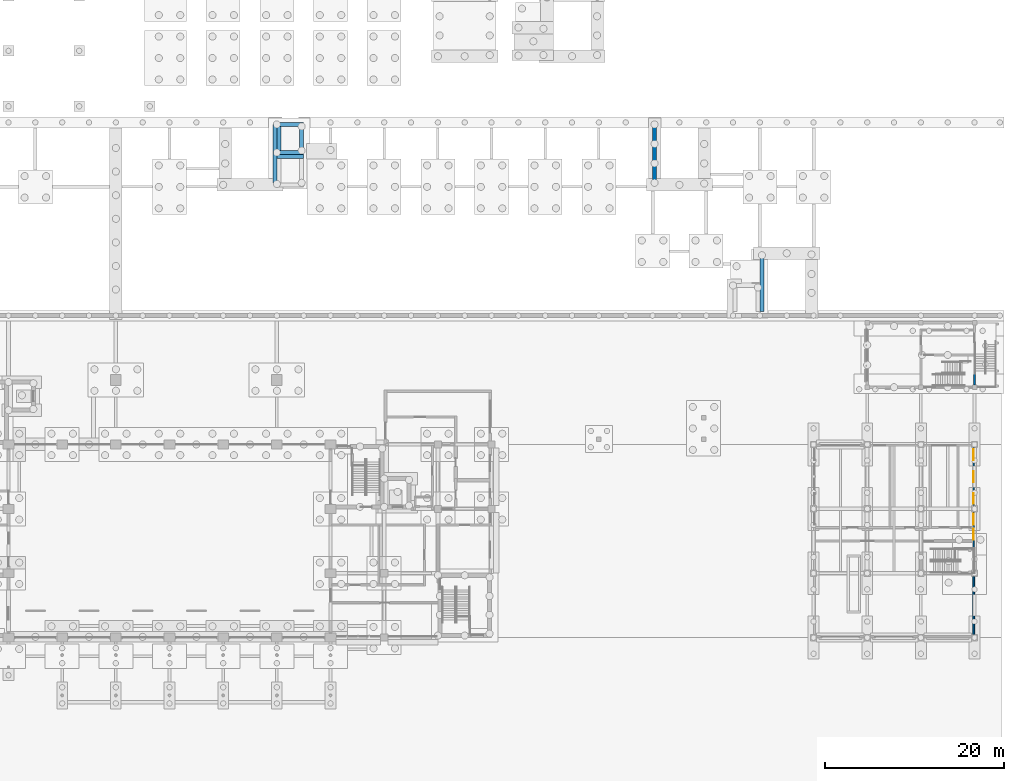
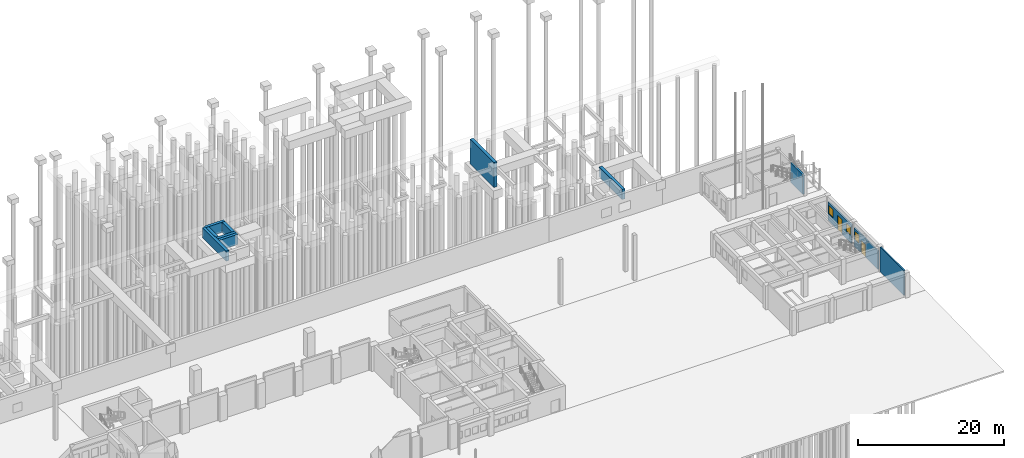
# One storey, part 27 of 37: 12 walls, 3 windows, 2 doors, 5 openings.
"""IFC4 building model written with IfcOpenShell, lengths in metres."""

from ifc_helpers import new_model, si_unit, direction, frame, frame_2d, origin, place, context, subcontext, project, spatial, rectangle, extrude, material, layer, layer_set, type_object, element, fill, save


model = new_model("IFC4")

# Units and contexts
model_context = context("Model", 3, precision=1e-05, world=origin(), true_north=direction((0.0, 1.0)))
body_context = subcontext(model_context, "Body", "Model", "MODEL_VIEW")
ifc_project = project(units=[si_unit("LENGTHUNIT", "METRE"), si_unit("AREAUNIT", "SQUARE_METRE"), si_unit("VOLUMEUNIT", "CUBIC_METRE"), si_unit("PLANEANGLEUNIT", "RADIAN"), si_unit("MASSUNIT", "GRAM", prefix="KILO")], contexts=[model_context])

# Site, building, storey
site_placement = place(None, origin())
site = spatial("IfcSite", under=ifc_project, at=site_placement, CompositionType="ELEMENT")
building_placement = place(site_placement, origin())
building = spatial("IfcBuilding", under=site, at=building_placement, Name="Laocheng Heights Fire and Rescue Headquarters", CompositionType="ELEMENT")
storey_placement = place(building_placement, origin())
storey = spatial("IfcBuildingStorey", under=building, at=storey_placement, Name="L00", CompositionType="ELEMENT", Elevation=0.0)

# Wall
ifc_material_1 = material(Name="Aluminium profiled sheet cladding on insulated steel liner", Category="steel")
ifc_layer_1 = layer(ifc_material_1, 0.199951171875)
ifc_layer_set_1 = layer_set([ifc_layer_1], Name="Aluminium profiled sheet cladding on insulated steel liner")
wall_type_1 = type_object("IfcWallType", Name="PROFILED METAL CLAD WALL 200 WORKSHOP", PredefinedType="SOLIDWALL", material=ifc_layer_set_1)
wall_1_placement = place(storey_placement, frame((125.89990234375, 0.35009765625, 0.0), z_axis=(0.0, 0.0, 1.0), x_axis=(0.0, 1.0, 0.0)))
element("IfcWall", 1, at=wall_1_placement, inside=storey, type_object=wall_type_1, Name="Workshop wall L00", PredefinedType="SOLIDWALL", context=body_context, shape_type="SweptSolid", body=[
    extrude(rectangle(XDim=6.5, YDim=0.199951171875, at=frame_2d((3.25, 0.0))), origin(), (0.0, 0.0, 1.0), 4.199951171875),
])

# Wall, openings, window, door
wall_2_placement = place(storey_placement, frame((125.89990234375, 7.550048828125, 0.0), z_axis=(0.0, 0.0, 1.0), x_axis=(0.0, 1.0, 0.0)))
wall_2 = element("IfcWall", 2, at=wall_2_placement, inside=storey, type_object=wall_type_1, Name="Workshop wall L00", PredefinedType="SOLIDWALL", context=body_context, shape_type="SweptSolid", body=[
    extrude(rectangle(XDim=6.5, YDim=0.199951171875, at=frame_2d((3.25, 0.0))), origin(), (0.0, 0.0, 1.0), 3.10009765625),
])
opening_1_placement = place(wall_2_placement, frame((5.074951171875, 0.0, 1.199951171875)))
opening_1 = element("IfcOpeningElement", 3, at=opening_1_placement, cuts=wall_2, Name="Opening N4-E", PredefinedType="OPENING", context=body_context, shape_type="SweptSolid", body=[
    extrude(rectangle(XDim=1.199951171875, YDim=1.39990234375, at=frame_2d((0.60009765625, 0.699951171875))), frame((0.0, 0.10986328125, 0.0), z_axis=(0.0, -1.0, 0.0), x_axis=(1.0, 0.0, 0.0)), (0.0, 0.0, 1.0), 0.219970703125),
])
opening_2_placement = place(wall_2_placement, frame((3.39990234375, 0.0, 0.0)))
opening_2 = element("IfcOpeningElement", 4, at=opening_2_placement, cuts=wall_2, Name="Opening L00-N02", PredefinedType="OPENING", context=body_context, shape_type="SweptSolid", body=[
    extrude(rectangle(XDim=1.199951171875, YDim=2.10009765625, at=frame_2d((0.60009765625, 1.050048828125))), frame((0.0, 0.10986328125, 0.0), z_axis=(0.0, -1.0, 0.0), x_axis=(1.0, 0.0, 0.0)), (0.0, 0.0, 1.0), 0.219970703125),
])
ifc_material_2 = material(Name="Low-e double glazing in thermally broken aluminium frame", Category="aluminium")
window_type = type_object("IfcWindowType", Name="CLERESTORY WINDOW 1200 x 1400 SILL 1200", PartitioningType="SINGLE_PANEL", PredefinedType="WINDOW", material=ifc_material_2)
window_1_placement = place(opening_1_placement, origin())
window_1 = element("IfcWindow", 5, at=window_1_placement, inside=storey, type_object=window_type, Name="Workshop window L00", OverallHeight=1.39990234375, OverallWidth=1.199951171875, PartitioningType="SINGLE_PANEL", PredefinedType="WINDOW", context=body_context, shape_type="SweptSolid", body=[
    extrude(rectangle(XDim=1.199951171875, YDim=1.39990234375, at=frame_2d((0.60009765625, 0.699951171875))), frame((0.0, 0.030029296875, 0.0), z_axis=(0.0, -1.0, 0.0), x_axis=(1.0, 0.0, 0.0)), (0.0, 0.0, 1.0), 0.06005859375),
])
fill(opening_1, window_1)
ifc_material_3 = material(Name="Steel door leaf, painted", Category="steel")
door_type_1 = type_object("IfcDoorType", Name="STEEL FIRE DOOR 1200x2100 EXTERNAL WORK", OperationType="SINGLE_SWING_LEFT", PredefinedType="DOOR", material=ifc_material_3)
door_1_placement = place(opening_2_placement, frame((1.199951171875, 0.0, 0.0), z_axis=(0.0, 0.0, 1.0), x_axis=(-1.0, 0.0, 0.0)))
door_1 = element("IfcDoor", 6, at=door_1_placement, inside=storey, type_object=door_type_1, Name="Door L00-N02", OperationType="SINGLE_SWING_LEFT", OverallHeight=2.10009765625, OverallWidth=1.199951171875, PredefinedType="DOOR", context=body_context, shape_type="SweptSolid", body=[
    extrude(rectangle(XDim=1.199951171875, YDim=2.10009765625, at=frame_2d((0.60009765625, 1.050048828125))), frame((0.0, 0.02490234375, 0.0), z_axis=(0.0, -1.0, 0.0), x_axis=(1.0, 0.0, 0.0)), (0.0, 0.0, 1.0), 0.050048828125),
])
fill(opening_2, door_1)

# Wall, openings, windows, door
wall_3_placement = place(storey_placement, frame((125.89990234375, 14.75, 0.0), z_axis=(0.0, 0.0, 1.0), x_axis=(0.0, 1.0, 0.0)))
wall_3 = element("IfcWall", 7, at=wall_3_placement, inside=storey, type_object=wall_type_1, Name="Workshop wall L00", PredefinedType="SOLIDWALL", context=body_context, shape_type="SweptSolid", body=[
    extrude(rectangle(XDim=6.5, YDim=0.199951171875, at=frame_2d((3.25, 0.0))), origin(), (0.0, 0.0, 1.0), 3.10009765625),
])
opening_3_placement = place(wall_3_placement, frame((2.64990234375, 0.0, 0.0)))
opening_3 = element("IfcOpeningElement", 8, at=opening_3_placement, cuts=wall_3, Name="Opening L00-E11", PredefinedType="OPENING", context=body_context, shape_type="SweptSolid", body=[
    extrude(rectangle(XDim=1.199951171875, YDim=2.39990234375, at=frame_2d((0.60009765625, 1.199951171875))), frame((0.0, 0.10986328125, 0.0), z_axis=(0.0, -1.0, 0.0), x_axis=(1.0, 0.0, 0.0)), (0.0, 0.0, 1.0), 0.219970703125),
])
opening_4_placement = place(wall_3_placement, frame((0.21240234375, 0.0, 1.199951171875)))
opening_4 = element("IfcOpeningElement", 9, at=opening_4_placement, cuts=wall_3, Name="Opening N4-E", PredefinedType="OPENING", context=body_context, shape_type="SweptSolid", body=[
    extrude(rectangle(XDim=1.199951171875, YDim=1.39990234375, at=frame_2d((0.60009765625, 0.699951171875))), frame((0.0, 0.10986328125, 0.0), z_axis=(0.0, -1.0, 0.0), x_axis=(1.0, 0.0, 0.0)), (0.0, 0.0, 1.0), 0.219970703125),
])
opening_5_placement = place(wall_3_placement, frame((5.08740234375, 0.0, 1.199951171875)))
opening_5 = element("IfcOpeningElement", 10, at=opening_5_placement, cuts=wall_3, Name="Opening N4-E", PredefinedType="OPENING", context=body_context, shape_type="SweptSolid", body=[
    extrude(rectangle(XDim=1.199951171875, YDim=1.39990234375, at=frame_2d((0.60009765625, 0.699951171875))), frame((0.0, 0.10986328125, 0.0), z_axis=(0.0, -1.0, 0.0), x_axis=(1.0, 0.0, 0.0)), (0.0, 0.0, 1.0), 0.219970703125),
])
window_2_placement = place(opening_4_placement, origin())
window_2 = element("IfcWindow", 11, at=window_2_placement, inside=storey, type_object=window_type, Name="Workshop window L00", OverallHeight=1.39990234375, OverallWidth=1.199951171875, PartitioningType="SINGLE_PANEL", PredefinedType="WINDOW", context=body_context, shape_type="SweptSolid", body=[
    extrude(rectangle(XDim=1.199951171875, YDim=1.39990234375, at=frame_2d((0.60009765625, 0.699951171875))), frame((0.0, 0.030029296875, 0.0), z_axis=(0.0, -1.0, 0.0), x_axis=(1.0, 0.0, 0.0)), (0.0, 0.0, 1.0), 0.06005859375),
])
fill(opening_4, window_2)
window_3_placement = place(opening_5_placement, origin())
window_3 = element("IfcWindow", 12, at=window_3_placement, inside=storey, type_object=window_type, Name="Workshop window L00", OverallHeight=1.39990234375, OverallWidth=1.199951171875, PartitioningType="SINGLE_PANEL", PredefinedType="WINDOW", context=body_context, shape_type="SweptSolid", body=[
    extrude(rectangle(XDim=1.199951171875, YDim=1.39990234375, at=frame_2d((0.60009765625, 0.699951171875))), frame((0.0, 0.030029296875, 0.0), z_axis=(0.0, -1.0, 0.0), x_axis=(1.0, 0.0, 0.0)), (0.0, 0.0, 1.0), 0.06005859375),
])
fill(opening_5, window_3)
ifc_material_4 = material(Name="Powder-coated galvanised steel door leaf", Category="steel")
door_type_2 = type_object("IfcDoorType", Name="EXTERNAL STEEL DOOR 1200 x 2400 EI 60", OperationType="SINGLE_SWING_LEFT", PredefinedType="DOOR", material=ifc_material_4)
door_2_placement = place(opening_3_placement, frame((1.199951171875, 0.0, 0.0), z_axis=(0.0, 0.0, 1.0), x_axis=(-1.0, 0.0, 0.0)))
door_2 = element("IfcDoor", 13, at=door_2_placement, inside=storey, type_object=door_type_2, Name="Workshop side door L00-E11", OperationType="SINGLE_SWING_RIGHT", OverallHeight=2.39990234375, OverallWidth=1.199951171875, PredefinedType="DOOR", context=body_context, shape_type="SweptSolid", body=[
    extrude(rectangle(XDim=1.199951171875, YDim=2.39990234375, at=frame_2d((0.60009765625, 1.199951171875))), frame((0.0, 0.02490234375, 0.0), z_axis=(0.0, -1.0, 0.0), x_axis=(1.0, 0.0, 0.0)), (0.0, 0.0, 1.0), 0.050048828125),
])
fill(opening_3, door_2)

# Walls
ifc_material_5 = material(Name="Concrete C40", Category="concrete")
ifc_layer_2 = layer(ifc_material_5, 0.449951171875)
ifc_layer_set_2 = layer_set([ifc_layer_2], Name="Concrete C40")
wall_type_2 = type_object("IfcWallType", Name="RC LIFT PIT WALL 450", PredefinedType="SHEAR", material=ifc_layer_set_2)
for number, where, z_axis, x_axis, name in (
    (14, (48.0, 54.22509765625, 2.5), (0.0, 0.0, 1.0), (1.0, 0.0, 0.0), "Lift pit wall"),
    (15, (48.0, 57.375, 2.5), (0.0, 0.0, 1.0), (1.0, 0.0, 0.0), "Lift pit wall"),
):
    element("IfcWall", number, at=place(storey_placement, frame(where, z_axis=z_axis, x_axis=x_axis)), inside=storey, type_object=wall_type_2, Name=name, PredefinedType="SHEAR", context=body_context, shape_type="SweptSolid", body=[
        extrude(rectangle(XDim=3.0, YDim=0.449951171875, at=frame_2d((1.5, 0.0))), origin(), (0.0, 0.0, 1.0), 1.699951171875),
    ])
for number, where, z_axis, x_axis, name in (
    (16, (48.22509765625, 54.449951171875, 2.5), (0.0, 0.0, 1.0), (0.0, 1.0, 0.0), "Lift pit wall"),
    (17, (50.77490234375, 54.449951171875, 2.5), (0.0, 0.0, 1.0), (0.0, 1.0, 0.0), "Lift pit wall"),
):
    element("IfcWall", number, at=place(storey_placement, frame(where, z_axis=z_axis, x_axis=x_axis)), inside=storey, type_object=wall_type_2, Name=name, PredefinedType="SHEAR", context=body_context, shape_type="SweptSolid", body=[
        extrude(rectangle(XDim=2.699951171875, YDim=0.449951171875, at=frame_2d((1.35009765625, 0.0))), origin(), (0.0, 0.0, 1.0), 1.699951171875),
    ])
wall_4_placement = place(storey_placement, frame((48.0, 53.77490234375, 2.5), z_axis=(0.0, 0.0, 1.0), x_axis=(1.0, 0.0, 0.0)))
element("IfcWall", 18, at=wall_4_placement, inside=storey, type_object=wall_type_2, Name="Lift pit wall", PredefinedType="SHEAR", context=body_context, shape_type="SweptSolid", body=[
    extrude(rectangle(XDim=3.0, YDim=0.449951171875, at=frame_2d((1.5, 0.0))), origin(), (0.0, 0.0, 1.0), 1.699951171875),
])
ifc_material_6 = material(Name="Concrete C50", Category="concrete")
ifc_layer_3 = layer(ifc_material_6, 0.25)
ifc_layer_set_3 = layer_set([ifc_layer_3], Name="Concrete C50")
wall_type_3 = type_object("IfcWallType", Name="RC STAIR ENCLOSURE WALL 250", PredefinedType="SHEAR", material=ifc_layer_set_3)
wall_5_placement = place(storey_placement, frame((126.0, 28.25, 0.0), z_axis=(0.0, 0.0, 1.0), x_axis=(0.0, 1.0, 0.0)))
element("IfcWall", 19, at=wall_5_placement, inside=storey, type_object=wall_type_3, Name="Stair enclosure wall", PredefinedType="SHEAR", context=body_context, shape_type="SweptSolid", body=[
    extrude(rectangle(XDim=3.35009765625, YDim=0.25, at=frame_2d((1.675048828125, 0.0))), origin(), (0.0, 0.0, 1.0), 3.300048828125),
])
ifc_material_7 = material(Name="Concrete C40", Category="concrete")
ifc_layer_4 = layer(ifc_material_7, 0.449951171875)
ifc_layer_set_4 = layer_set([ifc_layer_4], Name="Concrete C40")
wall_type_4 = type_object("IfcWallType", Name="STAIR KERB WALL 450", PredefinedType="SOLIDWALL", material=ifc_layer_set_4)
wall_6_placement = place(storey_placement, frame((102.22509765625, 36.449951171875, 2.5), z_axis=(0.0, 0.0, 1.0), x_axis=(0.0, 1.0, 0.0)))
element("IfcWall", 20, at=wall_6_placement, inside=storey, type_object=wall_type_4, Name="Stair kerb wall", PredefinedType="SOLIDWALL", context=body_context, shape_type="SweptSolid", body=[
    extrude(rectangle(XDim=6.300048828125, YDim=0.449951171875, at=frame_2d((3.14990234375, 0.0))), origin(), (0.0, 0.0, 1.0), 1.699951171875),
])
wall_7_placement = place(storey_placement, frame((90.22509765625, 50.85009765625, 0.0), z_axis=(0.0, 0.0, 1.0), x_axis=(0.0, 1.0, 0.0)))
element("IfcWall", 21, at=wall_7_placement, inside=storey, type_object=wall_type_4, Name="Stair kerb wall", PredefinedType="SOLIDWALL", context=body_context, shape_type="SweptSolid", body=[
    extrude(rectangle(XDim=6.52490234375, YDim=0.449951171875, at=frame_2d((3.262451171875, 0.0))), origin(), (0.0, 0.0, 1.0), 4.199951171875),
])
wall_8_placement = place(storey_placement, frame((47.77490234375, 50.85009765625, 2.5), z_axis=(0.0, 0.0, 1.0), x_axis=(0.0, 1.0, 0.0)))
element("IfcWall", 22, at=wall_8_placement, inside=storey, type_object=wall_type_4, Name="Stair kerb wall", PredefinedType="SOLIDWALL", context=body_context, shape_type="SweptSolid", body=[
    extrude(rectangle(XDim=6.52490234375, YDim=0.449951171875, at=frame_2d((3.262451171875, 0.0))), origin(), (0.0, 0.0, 1.0), 1.699951171875),
])

save(model, "model.ifc")
